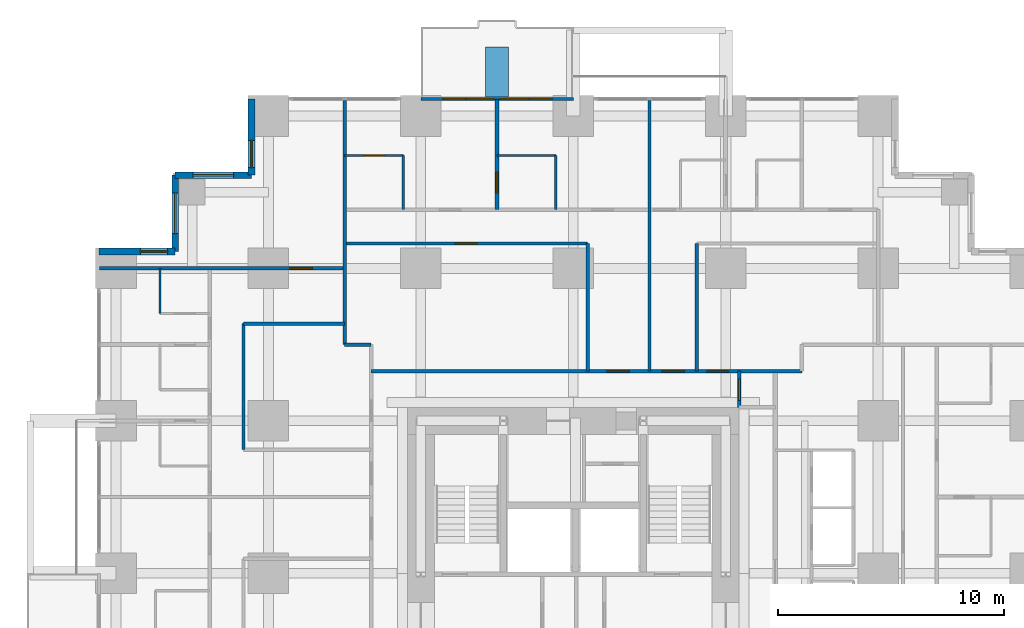
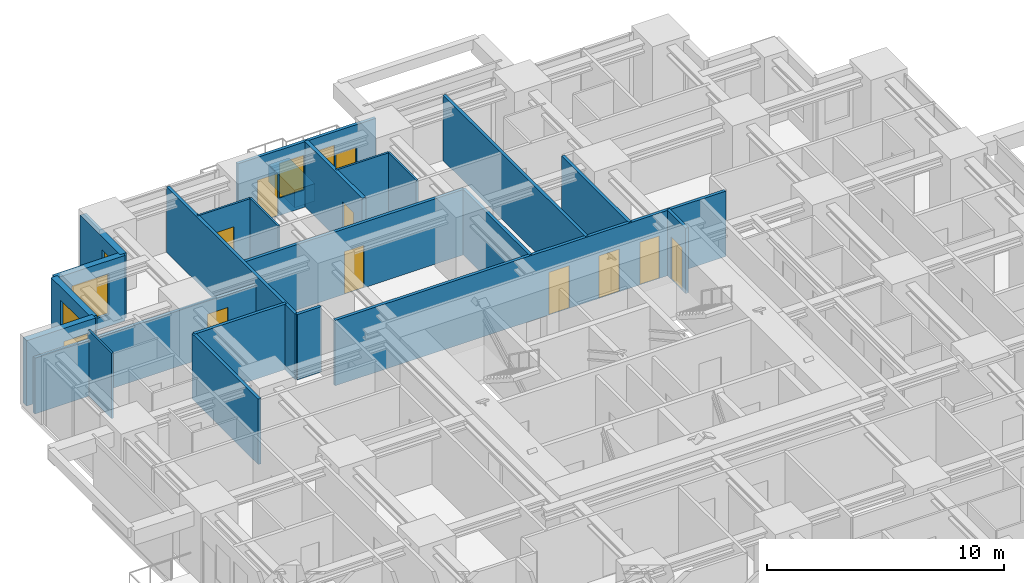
# One storey, part 12 of 14: 23 walls, 10 doors, 6 windows, 16 openings.
"""IFC4 building model written with IfcOpenShell, lengths in metres."""

from ifc_helpers import new_model, si_unit, direction, frame, frame_2d, origin, place, context, subcontext, project, spatial, rectangle, extrude, material, layer, layer_set, type_object, element, fill, save


model = new_model("IFC4")

# Units and contexts
model_context = context("Model", 3, precision=1e-05, world=origin(), true_north=direction((0.0, 1.0)))
body_context = subcontext(model_context, "Body", "Model", "MODEL_VIEW")
ifc_project = project(units=[si_unit("LENGTHUNIT", "METRE"), si_unit("AREAUNIT", "SQUARE_METRE"), si_unit("VOLUMEUNIT", "CUBIC_METRE"), si_unit("PLANEANGLEUNIT", "RADIAN"), si_unit("MASSUNIT", "GRAM", prefix="KILO")], contexts=[model_context])

# Site, building, storey
site_placement = place(None, origin())
site = spatial("IfcSite", under=ifc_project, at=site_placement, CompositionType="ELEMENT")
building_placement = place(site_placement, origin())
building = spatial("IfcBuilding", under=site, at=building_placement, Name="Nyansa Garden Tower", CompositionType="ELEMENT")
storey_placement = place(building_placement, frame((0.0, 0.0, 68.39990234375)))
storey = spatial("IfcBuildingStorey", under=building, at=storey_placement, Name="L18", CompositionType="ELEMENT", Elevation=68.39990234375)

# Wall, opening, door
ifc_material_1 = material(Name="Dense blockwork, plastered both sides, 55 dB", Category="masonry")
ifc_layer_1 = layer(ifc_material_1, 0.175048828125)
ifc_layer_set_1 = layer_set([ifc_layer_1], Name="Acoustic party wall PW175")
wall_type_1 = type_object("IfcWallType", Name="Acoustic party wall PW175", PredefinedType="PARTITIONING", material=ifc_layer_set_1)
wall_1_placement = place(storey_placement, frame((16.875, 36.35009765625, 0.0), z_axis=(0.0, 0.0, 1.0), x_axis=(0.0, 1.0, 0.0)))
wall_1 = element("IfcWall", 1, at=wall_1_placement, inside=storey, type_object=wall_type_1, Name="Party wall", PredefinedType="PARTITIONING", context=body_context, shape_type="SweptSolid", body=[
    extrude(rectangle(XDim=4.8837890625, YDim=0.175048828125, at=frame_2d((2.44189453125, 0.0))), origin(), (0.0, 0.0, 1.0), 3.375),
])
opening_1_placement = place(wall_1_placement, frame((0.75, 0.0, 0.0)))
opening_1 = element("IfcOpeningElement", 2, at=opening_1_placement, cuts=wall_1, Name="Opening D02", PredefinedType="OPENING", context=body_context, shape_type="SweptSolid", body=[
    extrude(rectangle(XDim=0.89990234375, YDim=2.199951171875, at=frame_2d((0.449951171875, 1.10009765625))), frame((0.0, 0.097412109375, 0.0), z_axis=(0.0, -1.0, 0.0), x_axis=(1.0, 0.0, 0.0)), (0.0, 0.0, 1.0), 0.195068359375),
])
ifc_material_2 = material(Name="Timber flush door", Category="wood")
door_type_1 = type_object("IfcDoorType", Name="En-suite door D02 900x2200", OperationType="SINGLE_SWING_RIGHT", PredefinedType="DOOR", material=ifc_material_2)
door_1_placement = place(opening_1_placement, origin())
door_1 = element("IfcDoor", 3, at=door_1_placement, inside=storey, type_object=door_type_1, Name="Door L18-057", OperationType="SINGLE_SWING_RIGHT", OverallHeight=2.199951171875, OverallWidth=0.89990234375, PredefinedType="DOOR", context=body_context, shape_type="SweptSolid", body=[
    extrude(rectangle(XDim=0.89990234375, YDim=2.199951171875, at=frame_2d((0.449951171875, 1.10009765625))), frame((0.0, 0.02490234375, 0.0), z_axis=(0.0, -1.0, 0.0), x_axis=(1.0, 0.0, 0.0)), (0.0, 0.0, 1.0), 0.050048828125),
])
fill(opening_1, door_1)

# Wall, openings, doors, windows
ifc_material_3 = material(Name="Black aluminium framed glazed screen", Category="aluminium")
ifc_layer_2 = layer(ifc_material_3, 0.14990234375)
ifc_layer_set_2 = layer_set([ifc_layer_2], Name="Balcony screen wall BW150")
wall_type_2 = type_object("IfcWallType", Name="Balcony screen wall BW150", PredefinedType="SOLIDWALL", material=ifc_layer_set_2)
wall_2_placement = place(storey_placement, frame((13.5, 41.25, 0.0), z_axis=(0.0, 0.0, 1.0), x_axis=(1.0, 0.0, 0.0)))
wall_2 = element("IfcWall", 4, at=wall_2_placement, inside=storey, type_object=wall_type_2, Name="Glazed screen wall L18 N", PredefinedType="SOLIDWALL", context=body_context, shape_type="SweptSolid", body=[
    extrude(rectangle(XDim=6.75, YDim=0.14990234375, at=frame_2d((3.375, 0.0))), origin(), (0.0, 0.0, 1.0), 3.375),
])
opening_2_placement = place(wall_2_placement, frame((0.96240234375, 0.0, 0.0)))
opening_2 = element("IfcOpeningElement", 5, at=opening_2_placement, cuts=wall_2, Name="Opening D20", PredefinedType="OPENING", context=body_context, shape_type="SweptSolid", body=[
    extrude(rectangle(XDim=1.0, YDim=2.199951171875, at=frame_2d((0.5, 1.10009765625))), frame((0.0, 0.0849609375, 0.0), z_axis=(0.0, -1.0, 0.0), x_axis=(1.0, 0.0, 0.0)), (0.0, 0.0, 1.0), 0.169921875),
])
opening_3_placement = place(wall_2_placement, frame((2.02490234375, 0.0, 0.89990234375)))
opening_3 = element("IfcOpeningElement", 6, at=opening_3_placement, cuts=wall_2, Name="Opening W6", PredefinedType="OPENING", context=body_context, shape_type="SweptSolid", body=[
    extrude(rectangle(XDim=1.199951171875, YDim=1.800048828125, at=frame_2d((0.60009765625, 0.89990234375))), frame((0.0, 0.0849609375, 0.0), z_axis=(0.0, -1.0, 0.0), x_axis=(1.0, 0.0, 0.0)), (0.0, 0.0, 1.0), 0.169921875),
])
opening_4_placement = place(wall_2_placement, frame((4.78759765625, 0.0, 0.0)))
opening_4 = element("IfcOpeningElement", 7, at=opening_4_placement, cuts=wall_2, Name="Opening D20", PredefinedType="OPENING", context=body_context, shape_type="SweptSolid", body=[
    extrude(rectangle(XDim=1.0, YDim=2.199951171875, at=frame_2d((0.5, 1.10009765625))), frame((0.0, 0.0849609375, 0.0), z_axis=(0.0, -1.0, 0.0), x_axis=(1.0, 0.0, 0.0)), (0.0, 0.0, 1.0), 0.169921875),
])
opening_5_placement = place(wall_2_placement, frame((3.52490234375, 0.0, 0.89990234375)))
opening_5 = element("IfcOpeningElement", 8, at=opening_5_placement, cuts=wall_2, Name="Opening W6", PredefinedType="OPENING", context=body_context, shape_type="SweptSolid", body=[
    extrude(rectangle(XDim=1.199951171875, YDim=1.800048828125, at=frame_2d((0.60009765625, 0.89990234375))), frame((0.0, 0.0849609375, 0.0), z_axis=(0.0, -1.0, 0.0), x_axis=(1.0, 0.0, 0.0)), (0.0, 0.0, 1.0), 0.169921875),
])
ifc_material_4 = material(Name="Black aluminium framed glazed door", Category="aluminium")
door_type_2 = type_object("IfcDoorType", Name="Balcony door D20 1000x2200", OperationType="NOTDEFINED", PredefinedType="DOOR", material=ifc_material_4)
door_2_placement = place(opening_2_placement, origin())
door_2 = element("IfcDoor", 9, at=door_2_placement, inside=storey, type_object=door_type_2, Name="Balcony door L18", OperationType="SINGLE_SWING_LEFT", OverallHeight=2.199951171875, OverallWidth=1.0, PredefinedType="DOOR", context=body_context, shape_type="SweptSolid", body=[
    extrude(rectangle(XDim=1.0, YDim=2.199951171875, at=frame_2d((0.5, 1.10009765625))), frame((0.0, 0.02490234375, 0.0), z_axis=(0.0, -1.0, 0.0), x_axis=(1.0, 0.0, 0.0)), (0.0, 0.0, 1.0), 0.050048828125),
])
fill(opening_2, door_2)
door_3_placement = place(opening_4_placement, origin())
door_3 = element("IfcDoor", 10, at=door_3_placement, inside=storey, type_object=door_type_2, Name="Balcony door L18", OperationType="SINGLE_SWING_RIGHT", OverallHeight=2.199951171875, OverallWidth=1.0, PredefinedType="DOOR", context=body_context, shape_type="SweptSolid", body=[
    extrude(rectangle(XDim=1.0, YDim=2.199951171875, at=frame_2d((0.5, 1.10009765625))), frame((0.0, 0.02490234375, 0.0), z_axis=(0.0, -1.0, 0.0), x_axis=(1.0, 0.0, 0.0)), (0.0, 0.0, 1.0), 0.050048828125),
])
fill(opening_4, door_3)
ifc_material_5 = material(Name="Black aluminium frame, dark tinted double glazing", Category="aluminium")
window_type_1 = type_object("IfcWindowType", Name="Balcony window W6 1200x1800", PartitioningType="SINGLE_PANEL", PredefinedType="WINDOW", material=ifc_material_5)
window_1_placement = place(opening_3_placement, origin())
window_1 = element("IfcWindow", 11, at=window_1_placement, inside=storey, type_object=window_type_1, Name="Window L18", OverallHeight=1.800048828125, OverallWidth=1.199951171875, PartitioningType="SINGLE_PANEL", PredefinedType="WINDOW", context=body_context, shape_type="SweptSolid", body=[
    extrude(rectangle(XDim=1.199951171875, YDim=1.800048828125, at=frame_2d((0.60009765625, 0.89990234375))), frame((0.0, 0.030029296875, 0.0), z_axis=(0.0, -1.0, 0.0), x_axis=(1.0, 0.0, 0.0)), (0.0, 0.0, 1.0), 0.06005859375),
])
fill(opening_3, window_1)
window_2_placement = place(opening_5_placement, origin())
window_2 = element("IfcWindow", 12, at=window_2_placement, inside=storey, type_object=window_type_1, Name="Window L18", OverallHeight=1.800048828125, OverallWidth=1.199951171875, PartitioningType="SINGLE_PANEL", PredefinedType="WINDOW", context=body_context, shape_type="SweptSolid", body=[
    extrude(rectangle(XDim=1.199951171875, YDim=1.800048828125, at=frame_2d((0.60009765625, 0.89990234375))), frame((0.0, 0.030029296875, 0.0), z_axis=(0.0, -1.0, 0.0), x_axis=(1.0, 0.0, 0.0)), (0.0, 0.0, 1.0), 0.06005859375),
])
fill(opening_5, window_2)

# Wall, opening, door
ifc_material_6 = material(Name="Blockwork, plastered both sides", Category="masonry")
ifc_layer_3 = layer(ifc_material_6, 0.14990234375)
ifc_layer_set_3 = layer_set([ifc_layer_3], Name="Partition PW150")
wall_type_3 = type_object("IfcWallType", Name="Partition PW150", PredefinedType="PARTITIONING", material=ifc_layer_set_3)
wall_3_placement = place(storey_placement, frame((-0.73388671875, 33.75, 0.0), z_axis=(0.0, 0.0, 1.0), x_axis=(1.0, 0.0, 0.0)))
wall_3 = element("IfcWall", 13, at=wall_3_placement, inside=storey, type_object=wall_type_3, Name="Partition", PredefinedType="PARTITIONING", context=body_context, shape_type="SweptSolid", body=[
    extrude(rectangle(XDim=10.85888671875, YDim=0.14990234375, at=frame_2d((5.429443359375, 0.0))), origin(), (0.0, 0.0, 1.0), 2.877197265625),
])
opening_6_placement = place(wall_3_placement, frame((8.43408203125, 0.0, 0.0)))
opening_6 = element("IfcOpeningElement", 14, at=opening_6_placement, cuts=wall_3, Name="Opening D03", PredefinedType="OPENING", context=body_context, shape_type="SweptSolid", body=[
    extrude(rectangle(XDim=1.0, YDim=2.199951171875, at=frame_2d((0.5, 1.10009765625))), frame((0.0, 0.0849609375, 0.0), z_axis=(0.0, -1.0, 0.0), x_axis=(1.0, 0.0, 0.0)), (0.0, 0.0, 1.0), 0.169921875),
])
ifc_material_7 = material(Name="Timber flush door, 60 minute fire resisting", Category="wood")
door_type_3 = type_object("IfcDoorType", Name="Cluster entrance door D03 1000x2200", OperationType="SINGLE_SWING_LEFT", PredefinedType="DOOR", material=ifc_material_7)
door_4_placement = place(opening_6_placement, origin())
door_4 = element("IfcDoor", 15, at=door_4_placement, inside=storey, type_object=door_type_3, Name="Door L18-061", OperationType="SINGLE_SWING_LEFT", OverallHeight=2.199951171875, OverallWidth=1.0, PredefinedType="DOOR", context=body_context, shape_type="SweptSolid", body=[
    extrude(rectangle(XDim=1.0, YDim=2.199951171875, at=frame_2d((0.5, 1.10009765625))), frame((0.0, 0.02490234375, 0.0), z_axis=(0.0, -1.0, 0.0), x_axis=(1.0, 0.0, 0.0)), (0.0, 0.0, 1.0), 0.050048828125),
])
fill(opening_6, door_4)

# Walls
wall_4_placement = place(storey_placement, frame((5.64990234375, 25.72509765625, 0.0), z_axis=(0.0, 0.0, 1.0), x_axis=(0.0, 1.0, 0.0)))
element("IfcWall", 16, at=wall_4_placement, inside=storey, type_object=wall_type_3, Name="Partition", PredefinedType="PARTITIONING", context=body_context, shape_type="SweptSolid", body=[
    extrude(rectangle(XDim=5.574951171875, YDim=0.14990234375, at=frame_2d((2.78759765625, 0.0))), origin(), (0.0, 0.0, 1.0), 3.375),
])
wall_5_placement = place(storey_placement, frame((5.64990234375, 31.300048828125, 0.0), z_axis=(0.0, 0.0, 1.0), x_axis=(1.0, 0.0, 0.0)))
element("IfcWall", 17, at=wall_5_placement, inside=storey, type_object=wall_type_3, Name="Partition", PredefinedType="PARTITIONING", context=body_context, shape_type="SweptSolid", body=[
    extrude(rectangle(XDim=4.47509765625, YDim=0.14990234375, at=frame_2d((2.237548828125, 0.0))), origin(), (0.0, 0.0, 1.0), 3.375),
])
wall_6_placement = place(storey_placement, frame((10.125, 30.375, 0.0), z_axis=(0.0, 0.0, 1.0), x_axis=(0.0, 1.0, 0.0)))
element("IfcWall", 18, at=wall_6_placement, inside=storey, type_object=wall_type_3, Name="Partition", PredefinedType="PARTITIONING", context=body_context, shape_type="SweptSolid", body=[
    extrude(rectangle(XDim=10.85888671875, YDim=0.14990234375, at=frame_2d((5.429443359375, 0.0))), origin(), (0.0, 0.0, 1.0), 3.375),
])
wall_7_placement = place(storey_placement, frame((10.125, 30.375, 0.0), z_axis=(0.0, 0.0, 1.0), x_axis=(1.0, 0.0, 0.0)))
element("IfcWall", 19, at=wall_7_placement, inside=storey, type_object=wall_type_3, Name="Partition", PredefinedType="PARTITIONING", context=body_context, shape_type="SweptSolid", body=[
    extrude(rectangle(XDim=1.175048828125, YDim=0.14990234375, at=frame_2d((0.58740234375, 0.0))), origin(), (0.0, 0.0, 1.0), 3.375),
])

# Wall, opening, door
wall_8_placement = place(storey_placement, frame((10.125, 34.85009765625, 0.0), z_axis=(0.0, 0.0, 1.0), x_axis=(1.0, 0.0, 0.0)))
wall_8 = element("IfcWall", 20, at=wall_8_placement, inside=storey, type_object=wall_type_3, Name="Partition", PredefinedType="PARTITIONING", context=body_context, shape_type="SweptSolid", body=[
    extrude(rectangle(XDim=10.762451171875, YDim=0.14990234375, at=frame_2d((5.38134765625, 0.0))), origin(), (0.0, 0.0, 1.0), 3.375),
])
opening_7_placement = place(wall_8_placement, frame((4.89990234375, 0.0, 0.0)))
opening_7 = element("IfcOpeningElement", 21, at=opening_7_placement, cuts=wall_8, Name="Opening D01", PredefinedType="OPENING", context=body_context, shape_type="SweptSolid", body=[
    extrude(rectangle(XDim=0.949951171875, YDim=2.199951171875, at=frame_2d((0.47509765625, 1.10009765625))), frame((0.0, 0.0849609375, 0.0), z_axis=(0.0, -1.0, 0.0), x_axis=(1.0, 0.0, 0.0)), (0.0, 0.0, 1.0), 0.169921875),
])
ifc_material_8 = material(Name="Timber flush door, 30 minute fire resisting", Category="wood")
door_type_4 = type_object("IfcDoorType", Name="Bedroom door D01 950x2200", OperationType="SINGLE_SWING_LEFT", PredefinedType="DOOR", material=ifc_material_8)
door_5_placement = place(opening_7_placement, origin())
door_5 = element("IfcDoor", 22, at=door_5_placement, inside=storey, type_object=door_type_4, Name="Door L18-060", OperationType="SINGLE_SWING_LEFT", OverallHeight=2.199951171875, OverallWidth=0.949951171875, PredefinedType="DOOR", context=body_context, shape_type="SweptSolid", body=[
    extrude(rectangle(XDim=0.949951171875, YDim=2.199951171875, at=frame_2d((0.47509765625, 1.10009765625))), frame((0.0, 0.02490234375, 0.0), z_axis=(0.0, -1.0, 0.0), x_axis=(1.0, 0.0, 0.0)), (0.0, 0.0, 1.0), 0.050048828125),
])
fill(opening_7, door_5)

# Wall, openings, doors
wall_9_placement = place(storey_placement, frame((11.300048828125, 29.199951171875, 0.0), z_axis=(0.0, 0.0, 1.0), x_axis=(1.0, 0.0, 0.0)))
wall_9 = element("IfcWall", 23, at=wall_9_placement, inside=storey, type_object=wall_type_3, Name="Partition", PredefinedType="PARTITIONING", context=body_context, shape_type="SweptSolid", body=[
    extrude(rectangle(XDim=19.074951171875, YDim=0.14990234375, at=frame_2d((9.53759765625, 0.0))), origin(), (0.0, 0.0, 1.0), 3.375),
])
opening_8_placement = place(wall_9_placement, frame((12.875, 0.0, 0.0)))
opening_8 = element("IfcOpeningElement", 24, at=opening_8_placement, cuts=wall_9, Name="Opening D03", PredefinedType="OPENING", context=body_context, shape_type="SweptSolid", body=[
    extrude(rectangle(XDim=1.0, YDim=2.199951171875, at=frame_2d((0.5, 1.10009765625))), frame((0.0, 0.0849609375, 0.0), z_axis=(0.0, -1.0, 0.0), x_axis=(1.0, 0.0, 0.0)), (0.0, 0.0, 1.0), 0.169921875),
])
opening_9_placement = place(wall_9_placement, frame((10.4375, 0.0, 0.0)))
opening_9 = element("IfcOpeningElement", 25, at=opening_9_placement, cuts=wall_9, Name="Opening D03", PredefinedType="OPENING", context=body_context, shape_type="SweptSolid", body=[
    extrude(rectangle(XDim=1.0, YDim=2.199951171875, at=frame_2d((0.5, 1.10009765625))), frame((0.0, 0.0849609375, 0.0), z_axis=(0.0, -1.0, 0.0), x_axis=(1.0, 0.0, 0.0)), (0.0, 0.0, 1.0), 0.169921875),
])
opening_10_placement = place(wall_9_placement, frame((14.875, 0.0, 0.0)))
opening_10 = element("IfcOpeningElement", 26, at=opening_10_placement, cuts=wall_9, Name="Opening D01", PredefinedType="OPENING", context=body_context, shape_type="SweptSolid", body=[
    extrude(rectangle(XDim=0.949951171875, YDim=2.199951171875, at=frame_2d((0.47509765625, 1.10009765625))), frame((0.0, 0.0849609375, 0.0), z_axis=(0.0, -1.0, 0.0), x_axis=(1.0, 0.0, 0.0)), (0.0, 0.0, 1.0), 0.169921875),
])
door_6_placement = place(opening_10_placement, origin())
door_6 = element("IfcDoor", 27, at=door_6_placement, inside=storey, type_object=door_type_4, Name="Door L18-059", OperationType="SINGLE_SWING_LEFT", OverallHeight=2.199951171875, OverallWidth=0.949951171875, PredefinedType="DOOR", context=body_context, shape_type="SweptSolid", body=[
    extrude(rectangle(XDim=0.949951171875, YDim=2.199951171875, at=frame_2d((0.47509765625, 1.10009765625))), frame((0.0, 0.02490234375, 0.0), z_axis=(0.0, -1.0, 0.0), x_axis=(1.0, 0.0, 0.0)), (0.0, 0.0, 1.0), 0.050048828125),
])
fill(opening_10, door_6)
door_7_placement = place(opening_8_placement, origin())
door_7 = element("IfcDoor", 28, at=door_7_placement, inside=storey, type_object=door_type_3, Name="Door L18-053", OperationType="SINGLE_SWING_LEFT", OverallHeight=2.199951171875, OverallWidth=1.0, PredefinedType="DOOR", context=body_context, shape_type="SweptSolid", body=[
    extrude(rectangle(XDim=1.0, YDim=2.199951171875, at=frame_2d((0.5, 1.10009765625))), frame((0.0, 0.02490234375, 0.0), z_axis=(0.0, -1.0, 0.0), x_axis=(1.0, 0.0, 0.0)), (0.0, 0.0, 1.0), 0.050048828125),
])
fill(opening_8, door_7)
door_8_placement = place(opening_9_placement, origin())
door_8 = element("IfcDoor", 29, at=door_8_placement, inside=storey, type_object=door_type_3, Name="Door L18-058", OperationType="SINGLE_SWING_LEFT", OverallHeight=2.199951171875, OverallWidth=1.0, PredefinedType="DOOR", context=body_context, shape_type="SweptSolid", body=[
    extrude(rectangle(XDim=1.0, YDim=2.199951171875, at=frame_2d((0.5, 1.10009765625))), frame((0.0, 0.02490234375, 0.0), z_axis=(0.0, -1.0, 0.0), x_axis=(1.0, 0.0, 0.0)), (0.0, 0.0, 1.0), 0.050048828125),
])
fill(opening_9, door_8)

# Walls
wall_10_placement = place(storey_placement, frame((20.886962890625, 29.199951171875, 0.0), z_axis=(0.0, 0.0, 1.0), x_axis=(0.0, 1.0, 0.0)))
element("IfcWall", 30, at=wall_10_placement, inside=storey, type_object=wall_type_3, Name="Partition", PredefinedType="PARTITIONING", context=body_context, shape_type="SweptSolid", body=[
    extrude(rectangle(XDim=5.650146484375, YDim=0.14990234375, at=frame_2d((2.8251953125, 0.0))), origin(), (0.0, 0.0, 1.0), 3.375),
])
wall_11_placement = place(storey_placement, frame((23.625, 29.199951171875, 0.0), z_axis=(0.0, 0.0, 1.0), x_axis=(0.0, 1.0, 0.0)))
element("IfcWall", 31, at=wall_11_placement, inside=storey, type_object=wall_type_3, Name="Partition", PredefinedType="PARTITIONING", context=body_context, shape_type="SweptSolid", body=[
    extrude(rectangle(XDim=12.033935546875, YDim=0.14990234375, at=frame_2d((6.01708984375, 0.0))), origin(), (0.0, 0.0, 1.0), 3.375),
])
wall_12_placement = place(storey_placement, frame((25.72509765625, 29.199951171875, 0.0), z_axis=(0.0, 0.0, 1.0), x_axis=(0.0, 1.0, 0.0)))
element("IfcWall", 32, at=wall_12_placement, inside=storey, type_object=wall_type_3, Name="Partition", PredefinedType="PARTITIONING", context=body_context, shape_type="SweptSolid", body=[
    extrude(rectangle(XDim=5.650146484375, YDim=0.14990234375, at=frame_2d((2.8251953125, 0.0))), origin(), (0.0, 0.0, 1.0), 3.375),
])

# Wall, opening, door
wall_13_placement = place(storey_placement, frame((27.60009765625, 27.60009765625, 0.0), z_axis=(0.0, 0.0, 1.0), x_axis=(0.0, 1.0, 0.0)))
wall_13 = element("IfcWall", 33, at=wall_13_placement, inside=storey, type_object=wall_type_3, Name="Partition", PredefinedType="PARTITIONING", context=body_context, shape_type="SweptSolid", body=[
    extrude(rectangle(XDim=1.599853515625, YDim=0.14990234375, at=frame_2d((0.7998046875, 0.0))), origin(), (0.0, 0.0, 1.0), 3.375),
])
opening_11_placement = place(wall_13_placement, frame((0.300048828125, 0.0, 0.0)))
opening_11 = element("IfcOpeningElement", 34, at=opening_11_placement, cuts=wall_13, Name="Opening D01", PredefinedType="OPENING", context=body_context, shape_type="SweptSolid", body=[
    extrude(rectangle(XDim=0.949951171875, YDim=2.199951171875, at=frame_2d((0.47509765625, 1.10009765625))), frame((0.0, 0.0849609375, 0.0), z_axis=(0.0, -1.0, 0.0), x_axis=(1.0, 0.0, 0.0)), (0.0, 0.0, 1.0), 0.169921875),
])
door_9_placement = place(opening_11_placement, origin())
door_9 = element("IfcDoor", 35, at=door_9_placement, inside=storey, type_object=door_type_4, Name="Door L18-018", OperationType="SINGLE_SWING_LEFT", OverallHeight=2.199951171875, OverallWidth=0.949951171875, PredefinedType="DOOR", context=body_context, shape_type="SweptSolid", body=[
    extrude(rectangle(XDim=0.949951171875, YDim=2.199951171875, at=frame_2d((0.47509765625, 1.10009765625))), frame((0.0, 0.02490234375, 0.0), z_axis=(0.0, -1.0, 0.0), x_axis=(1.0, 0.0, 0.0)), (0.0, 0.0, 1.0), 0.050048828125),
])
fill(opening_11, door_9)

# Wall, opening, window
ifc_material_9 = material(Name="Turquoise glazed tile on concrete blockwork", Category="masonry")
ifc_layer_4 = layer(ifc_material_9, 0.300048828125)
ifc_layer_set_4 = layer_set([ifc_layer_4], Name="Tiled corner wall TW300")
wall_type_4 = type_object("IfcWallType", Name="Tiled corner wall TW300", PredefinedType="SOLIDWALL", material=ifc_layer_set_4)
wall_14_placement = place(storey_placement, frame((6.0, 41.25, 0.0), z_axis=(0.0, 0.0, 1.0), x_axis=(0.0, -1.0, 0.0)))
wall_14 = element("IfcWall", 36, at=wall_14_placement, inside=storey, type_object=wall_type_4, Name="Tiled corner wall L18", PredefinedType="SOLIDWALL", context=body_context, shape_type="SweptSolid", body=[
    extrude(rectangle(XDim=3.375, YDim=0.300048828125, at=frame_2d((1.6875, 0.0))), origin(), (0.0, 0.0, 1.0), 3.375),
])
opening_12_placement = place(wall_14_placement, frame((1.83251953125, 0.0, 0.89990234375)))
opening_12 = element("IfcOpeningElement", 37, at=opening_12_placement, cuts=wall_14, Name="Opening W4", PredefinedType="OPENING", context=body_context, shape_type="SweptSolid", body=[
    extrude(rectangle(XDim=1.199951171875, YDim=1.800048828125, at=frame_2d((0.60009765625, 0.89990234375))), frame((0.0, 0.159912109375, 0.0), z_axis=(0.0, -1.0, 0.0), x_axis=(1.0, 0.0, 0.0)), (0.0, 0.0, 1.0), 0.320068359375),
])
ifc_material_10 = material(Name="Black aluminium frame, dark tinted double glazing", Category="aluminium")
window_type_2 = type_object("IfcWindowType", Name="Window W4 1200x1800", PartitioningType="SINGLE_PANEL", PredefinedType="WINDOW", material=ifc_material_10)
window_3_placement = place(opening_12_placement, origin())
window_3 = element("IfcWindow", 38, at=window_3_placement, inside=storey, type_object=window_type_2, Name="Corner window L18", OverallHeight=1.800048828125, OverallWidth=1.199951171875, PartitioningType="SINGLE_PANEL", PredefinedType="WINDOW", context=body_context, shape_type="SweptSolid", body=[
    extrude(rectangle(XDim=1.199951171875, YDim=1.800048828125, at=frame_2d((0.60009765625, 0.89990234375))), frame((0.0, 0.030029296875, 0.0), z_axis=(0.0, -1.0, 0.0), x_axis=(1.0, 0.0, 0.0)), (0.0, 0.0, 1.0), 0.06005859375),
])
fill(opening_12, window_3)

wall_15_placement = place(storey_placement, frame((6.0, 37.875, 0.0), z_axis=(0.0, 0.0, 1.0), x_axis=(-1.0, 0.0, 0.0)))
wall_15 = element("IfcWall", 39, at=wall_15_placement, inside=storey, type_object=wall_type_4, Name="Tiled corner wall L18", PredefinedType="SOLIDWALL", context=body_context, shape_type="SweptSolid", body=[
    extrude(rectangle(XDim=3.375, YDim=0.300048828125, at=frame_2d((1.6875, 0.0))), origin(), (0.0, 0.0, 1.0), 3.375),
])
opening_13_placement = place(wall_15_placement, frame((0.78759765625, 0.0, 0.60009765625)))
opening_13 = element("IfcOpeningElement", 40, at=opening_13_placement, cuts=wall_15, Name="Opening W2", PredefinedType="OPENING", context=body_context, shape_type="SweptSolid", body=[
    extrude(rectangle(XDim=1.800048828125, YDim=2.10009765625, at=frame_2d((0.89990234375, 1.050048828125))), frame((0.0, 0.159912109375, 0.0), z_axis=(0.0, -1.0, 0.0), x_axis=(1.0, 0.0, 0.0)), (0.0, 0.0, 1.0), 0.320068359375),
])
ifc_material_11 = material(Name="Black aluminium frame, dark tinted double glazing", Category="aluminium")
window_type_3 = type_object("IfcWindowType", Name="Window W2 1800x2100", PartitioningType="SINGLE_PANEL", PredefinedType="WINDOW", material=ifc_material_11)
window_4_placement = place(opening_13_placement, origin())
window_4 = element("IfcWindow", 41, at=window_4_placement, inside=storey, type_object=window_type_3, Name="Corner window L18", OverallHeight=2.10009765625, OverallWidth=1.800048828125, PartitioningType="SINGLE_PANEL", PredefinedType="WINDOW", context=body_context, shape_type="SweptSolid", body=[
    extrude(rectangle(XDim=1.800048828125, YDim=2.10009765625, at=frame_2d((0.89990234375, 1.050048828125))), frame((0.0, 0.030029296875, 0.0), z_axis=(0.0, -1.0, 0.0), x_axis=(1.0, 0.0, 0.0)), (0.0, 0.0, 1.0), 0.06005859375),
])
fill(opening_13, window_4)

wall_16_placement = place(storey_placement, frame((2.625, 37.875, 0.0), z_axis=(0.0, 0.0, 1.0), x_axis=(0.0, -1.0, 0.0)))
wall_16 = element("IfcWall", 42, at=wall_16_placement, inside=storey, type_object=wall_type_4, Name="Tiled corner wall L18", PredefinedType="SOLIDWALL", context=body_context, shape_type="SweptSolid", body=[
    extrude(rectangle(XDim=3.375, YDim=0.300048828125, at=frame_2d((1.6875, 0.0))), origin(), (0.0, 0.0, 1.0), 3.375),
])
opening_14_placement = place(wall_16_placement, frame((0.78759765625, 0.0, 0.60009765625)))
opening_14 = element("IfcOpeningElement", 43, at=opening_14_placement, cuts=wall_16, Name="Opening W2", PredefinedType="OPENING", context=body_context, shape_type="SweptSolid", body=[
    extrude(rectangle(XDim=1.800048828125, YDim=2.10009765625, at=frame_2d((0.89990234375, 1.050048828125))), frame((0.0, 0.159912109375, 0.0), z_axis=(0.0, -1.0, 0.0), x_axis=(1.0, 0.0, 0.0)), (0.0, 0.0, 1.0), 0.320068359375),
])
window_5_placement = place(opening_14_placement, origin())
window_5 = element("IfcWindow", 44, at=window_5_placement, inside=storey, type_object=window_type_3, Name="Corner window L18", OverallHeight=2.10009765625, OverallWidth=1.800048828125, PartitioningType="SINGLE_PANEL", PredefinedType="WINDOW", context=body_context, shape_type="SweptSolid", body=[
    extrude(rectangle(XDim=1.800048828125, YDim=2.10009765625, at=frame_2d((0.89990234375, 1.050048828125))), frame((0.0, 0.030029296875, 0.0), z_axis=(0.0, -1.0, 0.0), x_axis=(1.0, 0.0, 0.0)), (0.0, 0.0, 1.0), 0.06005859375),
])
fill(opening_14, window_5)

wall_17_placement = place(storey_placement, frame((2.625, 34.5, 0.0), z_axis=(0.0, 0.0, 1.0), x_axis=(-1.0, 0.0, 0.0)))
wall_17 = element("IfcWall", 45, at=wall_17_placement, inside=storey, type_object=wall_type_4, Name="Tiled corner wall L18", PredefinedType="SOLIDWALL", context=body_context, shape_type="SweptSolid", body=[
    extrude(rectangle(XDim=3.375, YDim=0.300048828125, at=frame_2d((1.6875, 0.0))), origin(), (0.0, 0.0, 1.0), 3.375),
])
opening_15_placement = place(wall_17_placement, frame((0.342529296875, 0.0, 0.89990234375)))
opening_15 = element("IfcOpeningElement", 46, at=opening_15_placement, cuts=wall_17, Name="Opening W4", PredefinedType="OPENING", context=body_context, shape_type="SweptSolid", body=[
    extrude(rectangle(XDim=1.199951171875, YDim=1.800048828125, at=frame_2d((0.60009765625, 0.89990234375))), frame((0.0, 0.159912109375, 0.0), z_axis=(0.0, -1.0, 0.0), x_axis=(1.0, 0.0, 0.0)), (0.0, 0.0, 1.0), 0.320068359375),
])
window_6_placement = place(opening_15_placement, origin())
window_6 = element("IfcWindow", 47, at=window_6_placement, inside=storey, type_object=window_type_2, Name="Corner window L18", OverallHeight=1.800048828125, OverallWidth=1.199951171875, PartitioningType="SINGLE_PANEL", PredefinedType="WINDOW", context=body_context, shape_type="SweptSolid", body=[
    extrude(rectangle(XDim=1.199951171875, YDim=1.800048828125, at=frame_2d((0.60009765625, 0.89990234375))), frame((0.0, 0.030029296875, 0.0), z_axis=(0.0, -1.0, 0.0), x_axis=(1.0, 0.0, 0.0)), (0.0, 0.0, 1.0), 0.06005859375),
])
fill(opening_15, window_6)

# Walls
ifc_material_12 = material(Name="Concrete C40/50 planter, waterproofed", Category="concrete")
ifc_layer_5 = layer(ifc_material_12, 1.0)
ifc_layer_set_5 = layer_set([ifc_layer_5], Name="Tree planter TP1")
wall_type_5 = type_object("IfcWallType", Name="Tree planter TP1", PredefinedType="USERDEFINED", material=ifc_layer_set_5)
wall_18_placement = place(storey_placement, frame((16.875, 41.35009765625, 0.0), z_axis=(0.0, 0.0, 1.0), x_axis=(0.0, 1.0, 0.0)))
element("IfcWall", 48, at=wall_18_placement, inside=storey, type_object=wall_type_5, Name="Tree planter L18", ObjectType="TREE PLANTER", PredefinedType="USERDEFINED", context=body_context, shape_type="SweptSolid", body=[
    extrude(rectangle(XDim=2.199951171875, YDim=1.0, at=frame_2d((1.10009765625, 0.0))), origin(), (0.0, 0.0, 1.0), 0.900146484375),
])
ifc_material_13 = material(Name="Moisture resistant board on steel studs, tiled", Category="steel")
ifc_layer_6 = layer(ifc_material_13, 0.10009765625)
ifc_layer_set_6 = layer_set([ifc_layer_6], Name="Wet wall PW100")
wall_type_6 = type_object("IfcWallType", Name="Wet wall PW100", PredefinedType="PARTITIONING", material=ifc_layer_set_6)
wall_19_placement = place(storey_placement, frame((1.949951171875, 31.75, 0.0), z_axis=(0.0, 0.0, 1.0), x_axis=(0.0, 1.0, 0.0)))
element("IfcWall", 49, at=wall_19_placement, inside=storey, type_object=wall_type_6, Name="Wet wall", PredefinedType="PARTITIONING", context=body_context, shape_type="SweptSolid", body=[
    extrude(rectangle(XDim=2.0, YDim=0.10009765625, at=frame_2d((1.0, 0.0))), origin(), (0.0, 0.0, 1.0), 3.375),
])

# Wall, opening, door
wall_20_placement = place(storey_placement, frame((10.125, 38.75, 0.0), z_axis=(0.0, 0.0, 1.0), x_axis=(1.0, 0.0, 0.0)))
wall_20 = element("IfcWall", 50, at=wall_20_placement, inside=storey, type_object=wall_type_6, Name="Wet wall", PredefinedType="PARTITIONING", context=body_context, shape_type="SweptSolid", body=[
    extrude(rectangle(XDim=2.60009765625, YDim=0.10009765625, at=frame_2d((1.300048828125, 0.0))), origin(), (0.0, 0.0, 1.0), 3.375),
])
opening_16_placement = place(wall_20_placement, frame((0.85009765625, 0.0, 0.0)))
opening_16 = element("IfcOpeningElement", 51, at=opening_16_placement, cuts=wall_20, Name="Opening D02", PredefinedType="OPENING", context=body_context, shape_type="SweptSolid", body=[
    extrude(rectangle(XDim=0.89990234375, YDim=2.199951171875, at=frame_2d((0.449951171875, 1.10009765625))), frame((0.0, 0.06005859375, 0.0), z_axis=(0.0, -1.0, 0.0), x_axis=(1.0, 0.0, 0.0)), (0.0, 0.0, 1.0), 0.1201171875),
])
door_10_placement = place(opening_16_placement, origin())
door_10 = element("IfcDoor", 52, at=door_10_placement, inside=storey, type_object=door_type_1, Name="Door L18-055", OperationType="SINGLE_SWING_RIGHT", OverallHeight=2.199951171875, OverallWidth=0.89990234375, PredefinedType="DOOR", context=body_context, shape_type="SweptSolid", body=[
    extrude(rectangle(XDim=0.89990234375, YDim=2.199951171875, at=frame_2d((0.449951171875, 1.10009765625))), frame((0.0, 0.02490234375, 0.0), z_axis=(0.0, -1.0, 0.0), x_axis=(1.0, 0.0, 0.0)), (0.0, 0.0, 1.0), 0.050048828125),
])
fill(opening_16, door_10)

# Walls
wall_21_placement = place(storey_placement, frame((12.72509765625, 36.35009765625, 0.0), z_axis=(0.0, 0.0, 1.0), x_axis=(0.0, 1.0, 0.0)))
element("IfcWall", 53, at=wall_21_placement, inside=storey, type_object=wall_type_6, Name="Wet wall", PredefinedType="PARTITIONING", context=body_context, shape_type="SweptSolid", body=[
    extrude(rectangle(XDim=2.39990234375, YDim=0.10009765625, at=frame_2d((1.199951171875, 0.0))), origin(), (0.0, 0.0, 1.0), 3.375),
])
wall_22_placement = place(storey_placement, frame((16.875, 38.75, 0.0), z_axis=(0.0, 0.0, 1.0), x_axis=(1.0, 0.0, 0.0)))
element("IfcWall", 54, at=wall_22_placement, inside=storey, type_object=wall_type_6, Name="Wet wall", PredefinedType="PARTITIONING", context=body_context, shape_type="SweptSolid", body=[
    extrude(rectangle(XDim=2.60009765625, YDim=0.10009765625, at=frame_2d((1.300048828125, 0.0))), origin(), (0.0, 0.0, 1.0), 3.375),
])
wall_23_placement = place(storey_placement, frame((19.47509765625, 36.35009765625, 0.0), z_axis=(0.0, 0.0, 1.0), x_axis=(0.0, 1.0, 0.0)))
element("IfcWall", 55, at=wall_23_placement, inside=storey, type_object=wall_type_6, Name="Wet wall", PredefinedType="PARTITIONING", context=body_context, shape_type="SweptSolid", body=[
    extrude(rectangle(XDim=2.39990234375, YDim=0.10009765625, at=frame_2d((1.199951171875, 0.0))), origin(), (0.0, 0.0, 1.0), 3.375),
])

save(model, "model.ifc")
